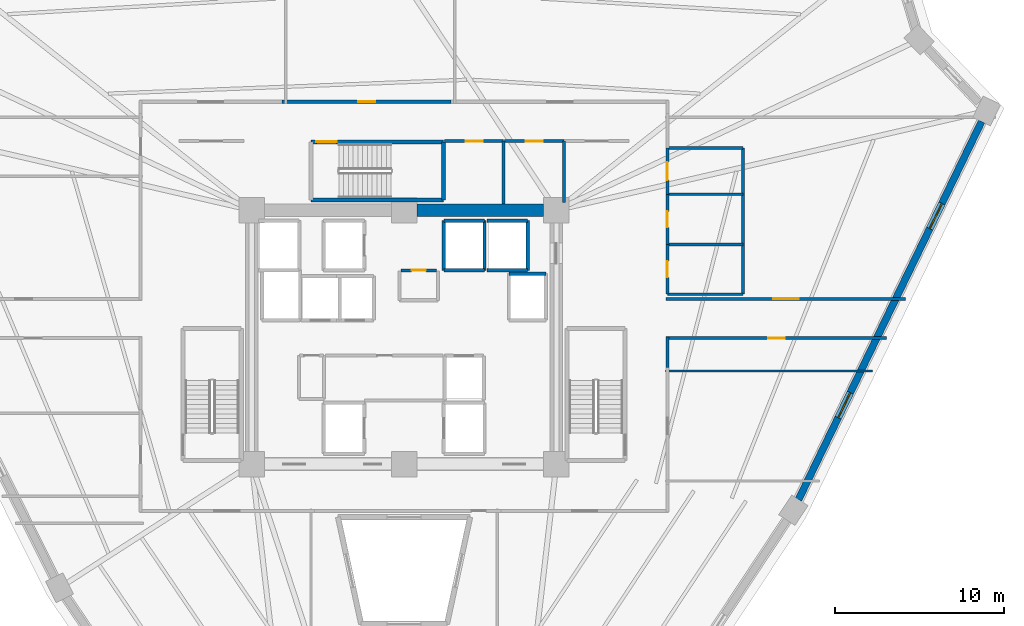
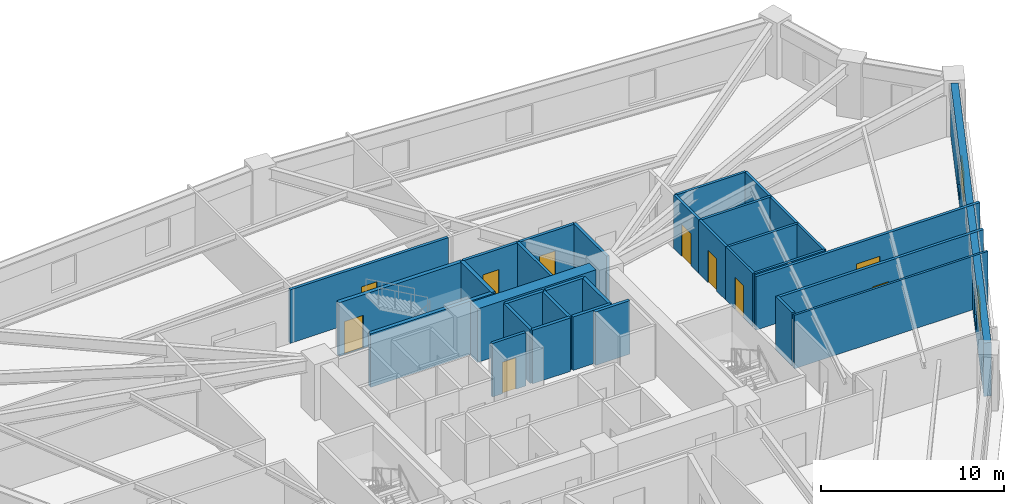
# One storey, part 6 of 8: 31 walls, 10 doors, 2 windows, 12 openings.
"""IFC4 building model written with IfcOpenShell, lengths in metres."""

from ifc_helpers import new_model, si_unit, direction, frame, frame_2d, origin, place, context, subcontext, project, spatial, rectangle, extrude, source, transform, mapped, material, layer, layer_set, type_object, element, fill, save


model = new_model("IFC4")

# Units and contexts
model_context = context("Model", 3, precision=1e-05, world=origin(), true_north=direction((0.0, 1.0)))
body_context = subcontext(model_context, "Body", "Model", "MODEL_VIEW")
ifc_project = project(units=[si_unit("LENGTHUNIT", "METRE"), si_unit("AREAUNIT", "SQUARE_METRE"), si_unit("VOLUMEUNIT", "CUBIC_METRE"), si_unit("PLANEANGLEUNIT", "RADIAN"), si_unit("MASSUNIT", "GRAM", prefix="KILO")], contexts=[model_context])

# Site, building, storey
site_placement = place(None, origin())
site = spatial("IfcSite", under=ifc_project, at=site_placement, CompositionType="ELEMENT")
building_placement = place(site_placement, origin())
building = spatial("IfcBuilding", under=site, at=building_placement, Name="Liaohun Quay Tower", CompositionType="ELEMENT")
storey_placement = place(building_placement, frame((0.0, 0.0, 177.75)))
storey = spatial("IfcBuildingStorey", under=building, at=storey_placement, Name="L46", CompositionType="ELEMENT", Elevation=177.75)

# Wall
ifc_material_1 = material(Name="Concrete C60", Category="concrete")
ifc_layer_1 = layer(ifc_material_1, 0.75, Name="Concrete C60", Category="concrete")
ifc_layer_set_1 = layer_set([ifc_layer_1], Name="Concrete C60")
wall_type_1 = type_object("IfcWallType", Name="WAL-COR-Z2", PredefinedType="SHEAR", material=ifc_layer_set_1)
wall_1_placement = place(storey_placement, frame((60.75, 61.5, 0.0), z_axis=(0.0, 0.0, 1.0), x_axis=(1.0, 0.0, 0.0)))
element("IfcWall", 1, at=wall_1_placement, inside=storey, type_object=wall_type_1, Name="L46 Central Core Shear Wall N-E", PredefinedType="SHEAR", context=body_context, shape_type="SweptSolid", body=[
    extrude(rectangle(XDim=7.5, YDim=0.75, at=frame_2d((3.75, 0.0))), origin(), (0.0, 0.0, 1.0), 3.570068359375),
])

# Wall, openings, windows
ifc_material_2 = material(Name="Precast concrete C50 insulated sandwich", Category="concrete")
ifc_layer_2 = layer(ifc_material_2, 0.419921875, Name="Precast concrete C50 insulated sandwich", Category="concrete")
ifc_layer_set_2 = layer_set([ifc_layer_2], Name="Precast concrete C50 insulated sandwich")
wall_type_2 = type_object("IfcWallType", Name="WAL-EXT-Z12", PredefinedType="SOLIDWALL", material=ifc_layer_set_2)
wall_2_placement = place(storey_placement, frame((83.302978515625, 44.39501953125, 0.0), z_axis=(0.0, 0.0, 1.0), x_axis=(0.435791696433, 0.90004755281, 0.0)))
wall_2 = element("IfcWall", 2, at=wall_2_placement, inside=storey, type_object=wall_type_2, Name="L46 Brutalist Precast Pier Wall 03", PredefinedType="SOLIDWALL", context=body_context, shape_type="SweptSolid", body=[
    extrude(rectangle(XDim=24.830810546875, YDim=0.419921875, at=frame_2d((12.41552734375, 0.0))), origin(), (0.0, 0.0, 1.0), 3.570068359375),
])
shared_shape_1 = source(origin(), body_context, "Body", "SweptSolid", [
    extrude(rectangle(XDim=1.64990234375, YDim=1.949951171875, at=frame_2d((0.824951171875, 0.97509765625))), frame((0.0, 0.219970703125, 0.0), z_axis=(0.0, -1.0, 0.0), x_axis=(1.0, 0.0, 0.0)), (0.0, 0.0, 1.0), 0.43994140625),
])
opening_1_placement = place(wall_2_placement, frame((5.383056640625, 0.0, 0.550048828125)))
opening_1 = element("IfcOpeningElement", 3, at=opening_1_placement, cuts=wall_2, Name="Opening W02", PredefinedType="OPENING", context=body_context, shape_type="MappedRepresentation", body=[
    mapped(shared_shape_1, transform((0.0, 0.0, 0.0), x_axis=(1.0, 0.0, 0.0), y_axis=(0.0, 1.0, 0.0), z_axis=(0.0, 0.0, 1.0), scale=1.0)),
])
opening_2_placement = place(wall_2_placement, frame((17.798095703125, 0.0, 0.550048828125)))
opening_2 = element("IfcOpeningElement", 4, at=opening_2_placement, cuts=wall_2, Name="Opening W02", PredefinedType="OPENING", context=body_context, shape_type="MappedRepresentation", body=[
    mapped(shared_shape_1, transform((0.0, 0.0, 0.0), x_axis=(1.0, 0.0, 0.0), y_axis=(0.0, 1.0, 0.0), z_axis=(0.0, 0.0, 1.0), scale=1.0)),
])
ifc_material_3 = material(Name="Triple Low-E argon glazing in thermally broken aluminium", Category="aluminium")
window_type = type_object("IfcWindowType", Name="WIN-PUN-Z2", PartitioningType="DOUBLE_PANEL_VERTICAL", PredefinedType="WINDOW", material=ifc_material_3)
shared_shape_2 = source(origin(), body_context, "Body", "SweptSolid", [
    extrude(rectangle(XDim=1.64990234375, YDim=1.949951171875, at=frame_2d((0.824951171875, 0.97509765625))), frame((0.0, 0.030029296875, 0.0), z_axis=(0.0, -1.0, 0.0), x_axis=(1.0, 0.0, 0.0)), (0.0, 0.0, 1.0), 0.06005859375),
])
window_1_placement = place(opening_1_placement, origin())
window_1 = element("IfcWindow", 5, at=window_1_placement, inside=storey, type_object=window_type, Name="L46 Recessed Cold-Climate Punched Window 03-1", OverallHeight=1.949951171875, OverallWidth=1.64990234375, PartitioningType="DOUBLE_PANEL_VERTICAL", PredefinedType="WINDOW", context=body_context, shape_type="MappedRepresentation", body=[
    mapped(shared_shape_2, transform((0.0, 0.0, 0.0), x_axis=(1.0, 0.0, 0.0), y_axis=(0.0, 1.0, 0.0), z_axis=(0.0, 0.0, 1.0), scale=1.0)),
])
fill(opening_1, window_1)
window_2_placement = place(opening_2_placement, origin())
window_2 = element("IfcWindow", 6, at=window_2_placement, inside=storey, type_object=window_type, Name="L46 Recessed Cold-Climate Punched Window 03-3", OverallHeight=1.949951171875, OverallWidth=1.64990234375, PartitioningType="DOUBLE_PANEL_VERTICAL", PredefinedType="WINDOW", context=body_context, shape_type="MappedRepresentation", body=[
    mapped(shared_shape_2, transform((0.0, 0.0, 0.0), x_axis=(1.0, 0.0, 0.0), y_axis=(0.0, 1.0, 0.0), z_axis=(0.0, 0.0, 1.0), scale=1.0)),
])
fill(opening_2, window_2)

# Wall, opening, door
ifc_material_4 = material(Name="Autoclaved aerated concrete blockwork", Category="masonry")
ifc_layer_3 = layer(ifc_material_4, 0.179931640625, Name="Autoclaved aerated concrete blockwork", Category="masonry")
ifc_layer_set_3 = layer_set([ifc_layer_3], Name="Autoclaved aerated concrete blockwork")
wall_type_3 = type_object("IfcWallType", Name="WAL-PRT-COR", PredefinedType="PARTITIONING", material=ifc_layer_set_3)
wall_3_placement = place(storey_placement, frame((59.81005859375, 57.949951171875, 0.0), z_axis=(0.0, 0.0, 1.0), x_axis=(1.0, 0.0, 0.0)))
wall_3 = element("IfcWall", 7, at=wall_3_placement, inside=storey, type_object=wall_type_3, Name="L46 Interior Partition Wall 002", PredefinedType="PARTITIONING", context=body_context, shape_type="SweptSolid", body=[
    extrude(rectangle(XDim=2.10986328125, YDim=0.179931640625, at=frame_2d((1.054931640625, 0.0))), origin(), (0.0, 0.0, 1.0), 3.570068359375),
])
shared_shape_3 = source(origin(), body_context, "Body", "SweptSolid", [
    extrude(rectangle(XDim=0.85009765625, YDim=2.10009765625, at=frame_2d((0.425048828125, 1.050048828125))), frame((0.0, 0.099853515625, 0.0), z_axis=(0.0, -1.0, 0.0), x_axis=(1.0, 0.0, 0.0)), (0.0, 0.0, 1.0), 0.199951171875),
])
opening_3_placement = place(wall_3_placement, frame((0.635009765625, 0.0, 0.0)))
opening_3 = element("IfcOpeningElement", 8, at=opening_3_placement, cuts=wall_3, Name="Opening AD1", PredefinedType="OPENING", context=body_context, shape_type="MappedRepresentation", body=[
    mapped(shared_shape_3, transform((0.0, 0.0, 0.0), x_axis=(1.0, 0.0, 0.0), y_axis=(0.0, 1.0, 0.0), z_axis=(0.0, 0.0, 1.0), scale=1.0)),
])
ifc_material_5 = material(Name="Steel riser inspection fire door", Category="steel")
door_type_1 = type_object("IfcDoorType", Name="DOR-SHF-850", OperationType="NOTDEFINED", PredefinedType="DOOR", material=ifc_material_5)
shared_shape_4 = source(origin(), body_context, "Body", "SweptSolid", [
    extrude(rectangle(XDim=0.85009765625, YDim=2.10009765625, at=frame_2d((0.425048828125, 1.050048828125))), frame((0.0, 0.02490234375, 0.0), z_axis=(0.0, -1.0, 0.0), x_axis=(1.0, 0.0, 0.0)), (0.0, 0.0, 1.0), 0.050048828125),
])
door_1_placement = place(opening_3_placement, origin())
door_1 = element("IfcDoor", 9, at=door_1_placement, inside=storey, type_object=door_type_1, Name="L46 Core Janitor and Cleaner Store Door", OperationType="SINGLE_SWING_LEFT", OverallHeight=2.10009765625, OverallWidth=0.85009765625, PredefinedType="DOOR", context=body_context, shape_type="MappedRepresentation", body=[
    mapped(shared_shape_4, transform((0.0, 0.0, 0.0), x_axis=(1.0, 0.0, 0.0), y_axis=(0.0, 1.0, 0.0), z_axis=(0.0, 0.0, 1.0), scale=1.0)),
])
fill(opening_3, door_1)

wall_4_placement = place(storey_placement, frame((62.389892578125, 65.580078125, 0.0), z_axis=(0.0, 0.0, 1.0), x_axis=(1.0, 0.0, 0.0)))
wall_4 = element("IfcWall", 10, at=wall_4_placement, inside=storey, type_object=wall_type_3, Name="L46 Interior Partition Wall 007", PredefinedType="PARTITIONING", context=body_context, shape_type="SweptSolid", body=[
    extrude(rectangle(XDim=3.489990234375, YDim=0.179931640625, at=frame_2d((1.7451171875, 0.0))), origin(), (0.0, 0.0, 1.0), 3.570068359375),
])
shared_shape_5 = source(origin(), body_context, "Body", "SweptSolid", [
    extrude(rectangle(XDim=1.0, YDim=2.199951171875, at=frame_2d((0.5, 1.10009765625))), frame((0.0, 0.099853515625, 0.0), z_axis=(0.0, -1.0, 0.0), x_axis=(1.0, 0.0, 0.0)), (0.0, 0.0, 1.0), 0.199951171875),
])
opening_4_placement = place(wall_4_placement, frame((1.2451171875, 0.0, 0.0)))
opening_4 = element("IfcOpeningElement", 11, at=opening_4_placement, cuts=wall_4, Name="Opening OD1", PredefinedType="OPENING", context=body_context, shape_type="MappedRepresentation", body=[
    mapped(shared_shape_5, transform((0.0, 0.0, 0.0), x_axis=(1.0, 0.0, 0.0), y_axis=(0.0, 1.0, 0.0), z_axis=(0.0, 0.0, 1.0), scale=1.0)),
])
ifc_material_6 = material(Name="Solid-core oak veneer timber leaf in steel frame", Category="steel")
door_type_2 = type_object("IfcDoorType", Name="DOR-OFF-1000", OperationType="NOTDEFINED", PredefinedType="DOOR", material=ifc_material_6)
shared_shape_6 = source(origin(), body_context, "Body", "SweptSolid", [
    extrude(rectangle(XDim=1.0, YDim=2.199951171875, at=frame_2d((0.5, 1.10009765625))), frame((0.0, 0.02490234375, 0.0), z_axis=(0.0, -1.0, 0.0), x_axis=(1.0, 0.0, 0.0)), (0.0, 0.0, 1.0), 0.050048828125),
])
door_2_placement = place(opening_4_placement, origin())
door_2 = element("IfcDoor", 12, at=door_2_placement, inside=storey, type_object=door_type_2, Name="L46 North-East Archive Store Door", OperationType="SINGLE_SWING_RIGHT", OverallHeight=2.199951171875, OverallWidth=1.0, PredefinedType="DOOR", context=body_context, shape_type="MappedRepresentation", body=[
    mapped(shared_shape_6, transform((0.0, 0.0, 0.0), x_axis=(1.0, 0.0, 0.0), y_axis=(0.0, 1.0, 0.0), z_axis=(0.0, 0.0, 1.0), scale=1.0)),
])
fill(opening_4, door_2)

wall_5_placement = place(storey_placement, frame((65.919921875, 65.580078125, 0.0), z_axis=(0.0, 0.0, 1.0), x_axis=(1.0, 0.0, 0.0)))
wall_5 = element("IfcWall", 13, at=wall_5_placement, inside=storey, type_object=wall_type_3, Name="L46 Interior Partition Wall 008", PredefinedType="PARTITIONING", context=body_context, shape_type="SweptSolid", body=[
    extrude(rectangle(XDim=3.5400390625, YDim=0.179931640625, at=frame_2d((1.77001953125, 0.0))), origin(), (0.0, 0.0, 1.0), 3.570068359375),
])
opening_5_placement = place(wall_5_placement, frame((1.27001953125, 0.0, 0.0)))
opening_5 = element("IfcOpeningElement", 14, at=opening_5_placement, cuts=wall_5, Name="Opening OD1", PredefinedType="OPENING", context=body_context, shape_type="MappedRepresentation", body=[
    mapped(shared_shape_5, transform((0.0, 0.0, 0.0), x_axis=(1.0, 0.0, 0.0), y_axis=(0.0, 1.0, 0.0), z_axis=(0.0, 0.0, 1.0), scale=1.0)),
])
door_3_placement = place(opening_5_placement, origin())
door_3 = element("IfcDoor", 15, at=door_3_placement, inside=storey, type_object=door_type_2, Name="L46 North-East Pantry Room Door", OperationType="SINGLE_SWING_LEFT", OverallHeight=2.199951171875, OverallWidth=1.0, PredefinedType="DOOR", context=body_context, shape_type="MappedRepresentation", body=[
    mapped(shared_shape_6, transform((0.0, 0.0, 0.0), x_axis=(1.0, 0.0, 0.0), y_axis=(0.0, 1.0, 0.0), z_axis=(0.0, 0.0, 1.0), scale=1.0)),
])
fill(opening_5, door_3)

wall_6_placement = place(storey_placement, frame((75.489990234375, 56.260009765625, 0.0), z_axis=(0.0, 0.0, 1.0), x_axis=(1.0, 0.0, 0.0)))
wall_6 = element("IfcWall", 16, at=wall_6_placement, inside=storey, type_object=wall_type_3, Name="L46 Interior Partition Wall 011", PredefinedType="PARTITIONING", context=body_context, shape_type="SweptSolid", body=[
    extrude(rectangle(XDim=14.14990234375, YDim=0.179931640625, at=frame_2d((7.074951171875, 0.0))), origin(), (0.0, 0.0, 1.0), 3.570068359375),
])
shared_shape_7 = source(origin(), body_context, "Body", "SweptSolid", [
    extrude(rectangle(XDim=1.5, YDim=2.199951171875, at=frame_2d((0.75, 1.10009765625))), frame((0.0, 0.099853515625, 0.0), z_axis=(0.0, -1.0, 0.0), x_axis=(1.0, 0.0, 0.0)), (0.0, 0.0, 1.0), 0.199951171875),
])
opening_6_placement = place(wall_6_placement, frame((6.324951171875, 0.0, 0.0)))
opening_6 = element("IfcOpeningElement", 17, at=opening_6_placement, cuts=wall_6, Name="Opening OD2", PredefinedType="OPENING", context=body_context, shape_type="MappedRepresentation", body=[
    mapped(shared_shape_7, transform((0.0, 0.0, 0.0), x_axis=(1.0, 0.0, 0.0), y_axis=(0.0, 1.0, 0.0), z_axis=(0.0, 0.0, 1.0), scale=1.0)),
])
ifc_material_7 = material(Name="Acoustic oak veneer double door")
door_type_3 = type_object("IfcDoorType", Name="DOR-OFF-1500", OperationType="DOUBLE_DOOR_SINGLE_SWING", PredefinedType="DOOR", material=ifc_material_7)
shared_shape_8 = source(origin(), body_context, "Body", "SweptSolid", [
    extrude(rectangle(XDim=1.5, YDim=2.199951171875, at=frame_2d((0.75, 1.10009765625))), frame((0.0, 0.02490234375, 0.0), z_axis=(0.0, -1.0, 0.0), x_axis=(1.0, 0.0, 0.0)), (0.0, 0.0, 1.0), 0.050048828125),
])
door_4_placement = place(opening_6_placement, origin())
door_4 = element("IfcDoor", 18, at=door_4_placement, inside=storey, type_object=door_type_3, Name="L46 Staff Daycare Nursery 01 Door", OperationType="DOUBLE_DOOR_SINGLE_SWING", OverallHeight=2.199951171875, OverallWidth=1.5, PredefinedType="DOOR", context=body_context, shape_type="MappedRepresentation", body=[
    mapped(shared_shape_8, transform((0.0, 0.0, 0.0), x_axis=(1.0, 0.0, 0.0), y_axis=(0.0, 1.0, 0.0), z_axis=(0.0, 0.0, 1.0), scale=1.0)),
])
fill(opening_6, door_4)

wall_7_placement = place(storey_placement, frame((52.784912109375, 67.909912109375, 0.0), z_axis=(0.0, 0.0, 1.0), x_axis=(1.0, 0.0, 0.0)))
wall_7 = element("IfcWall", 19, at=wall_7_placement, inside=storey, type_object=wall_type_3, Name="L46 Interior Partition Wall 013", PredefinedType="PARTITIONING", context=body_context, shape_type="SweptSolid", body=[
    extrude(rectangle(XDim=10.0, YDim=0.179931640625, at=frame_2d((5.0, 0.0))), origin(), (0.0, 0.0, 1.0), 3.570068359375),
])
opening_7_placement = place(wall_7_placement, frame((4.5, 0.0, 0.0)))
opening_7 = element("IfcOpeningElement", 20, at=opening_7_placement, cuts=wall_7, Name="Opening OD1", PredefinedType="OPENING", context=body_context, shape_type="MappedRepresentation", body=[
    mapped(shared_shape_5, transform((0.0, 0.0, 0.0), x_axis=(1.0, 0.0, 0.0), y_axis=(0.0, 1.0, 0.0), z_axis=(0.0, 0.0, 1.0), scale=1.0)),
])
door_5_placement = place(opening_7_placement, origin())
door_5 = element("IfcDoor", 21, at=door_5_placement, inside=storey, type_object=door_type_2, Name="L46 Staff Daycare Nursery 03 Door", OperationType="SINGLE_SWING_RIGHT", OverallHeight=2.199951171875, OverallWidth=1.0, PredefinedType="DOOR", context=body_context, shape_type="MappedRepresentation", body=[
    mapped(shared_shape_6, transform((0.0, 0.0, 0.0), x_axis=(1.0, 0.0, 0.0), y_axis=(0.0, 1.0, 0.0), z_axis=(0.0, 0.0, 1.0), scale=1.0)),
])
fill(opening_7, door_5)

wall_8_placement = place(storey_placement, frame((88.51708984375, 53.93994140625, 0.0), z_axis=(0.0, 0.0, 1.0), x_axis=(-1.0, 0.0, 0.0)))
wall_8 = element("IfcWall", 22, at=wall_8_placement, inside=storey, type_object=wall_type_3, Name="L46 Interior Partition Wall 023", PredefinedType="PARTITIONING", context=body_context, shape_type="SweptSolid", body=[
    extrude(rectangle(XDim=13.027099609375, YDim=0.179931640625, at=frame_2d((6.513671875, 0.0))), origin(), (0.0, 0.0, 1.0), 3.570068359375),
])
opening_8_placement = place(wall_8_placement, frame((6.013916015625, 0.0, 0.0)))
opening_8 = element("IfcOpeningElement", 23, at=opening_8_placement, cuts=wall_8, Name="Opening OD1", PredefinedType="OPENING", context=body_context, shape_type="MappedRepresentation", body=[
    mapped(shared_shape_5, transform((0.0, 0.0, 0.0), x_axis=(1.0, 0.0, 0.0), y_axis=(0.0, 1.0, 0.0), z_axis=(0.0, 0.0, 1.0), scale=1.0)),
])
door_6_placement = place(opening_8_placement, origin())
door_6 = element("IfcDoor", 24, at=door_6_placement, inside=storey, type_object=door_type_2, Name="L46 Regional Advisory Office 13 Door", OperationType="SINGLE_SWING_RIGHT", OverallHeight=2.199951171875, OverallWidth=1.0, PredefinedType="DOOR", context=body_context, shape_type="MappedRepresentation", body=[
    mapped(shared_shape_6, transform((0.0, 0.0, 0.0), x_axis=(1.0, 0.0, 0.0), y_axis=(0.0, 1.0, 0.0), z_axis=(0.0, 0.0, 1.0), scale=1.0)),
])
fill(opening_8, door_6)

# Walls
wall_9_placement = place(storey_placement, frame((65.8798828125, 61.875, 0.0), z_axis=(0.0, 0.0, 1.0), x_axis=(0.0, 1.0, 0.0)))
element("IfcWall", 25, at=wall_9_placement, inside=storey, type_object=wall_type_3, Name="L46 Interior Partition Wall 035", PredefinedType="PARTITIONING", context=body_context, shape_type="SweptSolid", body=[
    extrude(rectangle(XDim=3.705078125, YDim=0.179931640625, at=frame_2d((1.8525390625, 0.0))), origin(), (0.0, 0.0, 1.0), 3.570068359375),
])
wall_10_placement = place(storey_placement, frame((69.4599609375, 61.949951171875, 0.0), z_axis=(0.0, 0.0, 1.0), x_axis=(0.0, 1.0, 0.0)))
element("IfcWall", 26, at=wall_10_placement, inside=storey, type_object=wall_type_3, Name="L46 Interior Partition Wall 036", PredefinedType="PARTITIONING", context=body_context, shape_type="SweptSolid", body=[
    extrude(rectangle(XDim=3.630126953125, YDim=0.179931640625, at=frame_2d((1.81494140625, 0.0))), origin(), (0.0, 0.0, 1.0), 3.570068359375),
])
wall_11_placement = place(storey_placement, frame((75.56005859375, 54.010009765625, 0.0), z_axis=(0.0, 0.0, 1.0), x_axis=(0.0, -1.0, 0.0)))
element("IfcWall", 27, at=wall_11_placement, inside=storey, type_object=wall_type_3, Name="L46 Interior Partition Wall 044", PredefinedType="PARTITIONING", context=body_context, shape_type="SweptSolid", body=[
    extrude(rectangle(XDim=1.794921875, YDim=0.179931640625, at=frame_2d((0.8974609375, 0.0))), origin(), (0.0, 0.0, 1.0), 3.570068359375),
])
ifc_material_8 = material(Name="Gypsum board on twin steel studs", Category="steel")
ifc_layer_4 = layer(ifc_material_8, 0.139892578125, Name="Gypsum board on twin steel studs", Category="steel")
ifc_layer_set_4 = layer_set([ifc_layer_4], Name="Gypsum board on twin steel studs")
wall_type_4 = type_object("IfcWallType", Name="WAL-PRT-OFF", PredefinedType="PARTITIONING", material=ifc_layer_set_4)
wall_12_placement = place(storey_placement, frame((75.4599609375, 52.0, 0.0), z_axis=(0.0, 0.0, 1.0), x_axis=(1.0, 0.0, 0.0)))
element("IfcWall", 28, at=wall_12_placement, inside=storey, type_object=wall_type_4, Name="L46 Interior Partition Wall 051", PredefinedType="PARTITIONING", context=body_context, shape_type="SweptSolid", body=[
    extrude(rectangle(XDim=12.22509765625, YDim=0.139892578125, at=frame_2d((6.112548828125, 0.0))), origin(), (0.0, 0.0, 1.0), 3.570068359375),
])

# Wall, opening, door
ifc_material_9 = material(Name="Moisture-resistant masonry blockwork", Category="masonry")
ifc_layer_5 = layer(ifc_material_9, 0.159912109375, Name="Moisture-resistant masonry blockwork", Category="masonry")
ifc_layer_set_5 = layer_set([ifc_layer_5], Name="Moisture-resistant masonry blockwork")
wall_type_5 = type_object("IfcWallType", Name="WAL-PRT-WET", PredefinedType="PARTITIONING", material=ifc_layer_set_5)
wall_13_placement = place(storey_placement, frame((75.56005859375, 56.5400390625, 0.0), z_axis=(0.0, 0.0, 1.0), x_axis=(0.0, 1.0, 0.0)))
wall_13 = element("IfcWall", 29, at=wall_13_placement, inside=storey, type_object=wall_type_5, Name="L46 Interior Partition Wall 004", PredefinedType="PARTITIONING", context=body_context, shape_type="SweptSolid", body=[
    extrude(rectangle(XDim=2.93994140625, YDim=0.159912109375, at=frame_2d((1.469970703125, 0.0))), origin(), (0.0, 0.0, 1.0), 3.570068359375),
])
shared_shape_9 = source(origin(), body_context, "Body", "SweptSolid", [
    extrude(rectangle(XDim=0.949951171875, YDim=2.14990234375, at=frame_2d((0.47509765625, 1.074951171875))), frame((0.0, 0.08984375, 0.0), z_axis=(0.0, -1.0, 0.0), x_axis=(1.0, 0.0, 0.0)), (0.0, 0.0, 1.0), 0.179931640625),
])
opening_9_placement = place(wall_13_placement, frame((0.9951171875, 0.0, 0.0)))
opening_9 = element("IfcOpeningElement", 30, at=opening_9_placement, cuts=wall_13, Name="Opening WD1", PredefinedType="OPENING", context=body_context, shape_type="MappedRepresentation", body=[
    mapped(shared_shape_9, transform((0.0, 0.0, 0.0), x_axis=(1.0, 0.0, 0.0), y_axis=(0.0, 1.0, 0.0), z_axis=(0.0, 0.0, 1.0), scale=1.0)),
])
ifc_material_10 = material(Name="Moisture-resistant laminate timber leaf", Category="wood")
door_type_4 = type_object("IfcDoorType", Name="DOR-WC-950", OperationType="NOTDEFINED", PredefinedType="DOOR", material=ifc_material_10)
shared_shape_10 = source(origin(), body_context, "Body", "SweptSolid", [
    extrude(rectangle(XDim=0.949951171875, YDim=2.14990234375, at=frame_2d((0.47509765625, 1.074951171875))), frame((0.0, 0.02490234375, 0.0), z_axis=(0.0, -1.0, 0.0), x_axis=(1.0, 0.0, 0.0)), (0.0, 0.0, 1.0), 0.050048828125),
])
door_7_placement = place(opening_9_placement, origin())
door_7 = element("IfcDoor", 31, at=door_7_placement, inside=storey, type_object=door_type_4, Name="L46 Male Restroom WC Door", OperationType="SINGLE_SWING_LEFT", OverallHeight=2.14990234375, OverallWidth=0.949951171875, PredefinedType="DOOR", context=body_context, shape_type="MappedRepresentation", body=[
    mapped(shared_shape_10, transform((0.0, 0.0, 0.0), x_axis=(1.0, 0.0, 0.0), y_axis=(0.0, 1.0, 0.0), z_axis=(0.0, 0.0, 1.0), scale=1.0)),
])
fill(opening_9, door_7)

wall_14_placement = place(storey_placement, frame((75.56005859375, 59.47998046875, 0.0), z_axis=(0.0, 0.0, 1.0), x_axis=(0.0, 1.0, 0.0)))
wall_14 = element("IfcWall", 32, at=wall_14_placement, inside=storey, type_object=wall_type_5, Name="L46 Interior Partition Wall 005", PredefinedType="PARTITIONING", context=body_context, shape_type="SweptSolid", body=[
    extrude(rectangle(XDim=2.9599609375, YDim=0.159912109375, at=frame_2d((1.47998046875, 0.0))), origin(), (0.0, 0.0, 1.0), 3.570068359375),
])
opening_10_placement = place(wall_14_placement, frame((1.0048828125, 0.0, 0.0)))
opening_10 = element("IfcOpeningElement", 33, at=opening_10_placement, cuts=wall_14, Name="Opening WD1", PredefinedType="OPENING", context=body_context, shape_type="MappedRepresentation", body=[
    mapped(shared_shape_9, transform((0.0, 0.0, 0.0), x_axis=(1.0, 0.0, 0.0), y_axis=(0.0, 1.0, 0.0), z_axis=(0.0, 0.0, 1.0), scale=1.0)),
])
door_8_placement = place(opening_10_placement, origin())
door_8 = element("IfcDoor", 34, at=door_8_placement, inside=storey, type_object=door_type_4, Name="L46 Female Restroom WC Door", OperationType="SINGLE_SWING_RIGHT", OverallHeight=2.14990234375, OverallWidth=0.949951171875, PredefinedType="DOOR", context=body_context, shape_type="MappedRepresentation", body=[
    mapped(shared_shape_10, transform((0.0, 0.0, 0.0), x_axis=(1.0, 0.0, 0.0), y_axis=(0.0, 1.0, 0.0), z_axis=(0.0, 0.0, 1.0), scale=1.0)),
])
fill(opening_10, door_8)

wall_15_placement = place(storey_placement, frame((75.56005859375, 62.43994140625, 0.0), z_axis=(0.0, 0.0, 1.0), x_axis=(0.0, 1.0, 0.0)))
wall_15 = element("IfcWall", 35, at=wall_15_placement, inside=storey, type_object=wall_type_5, Name="L46 Interior Partition Wall 006", PredefinedType="PARTITIONING", context=body_context, shape_type="SweptSolid", body=[
    extrude(rectangle(XDim=2.739990234375, YDim=0.159912109375, at=frame_2d((1.3701171875, 0.0))), origin(), (0.0, 0.0, 1.0), 3.570068359375),
])
shared_shape_11 = source(origin(), body_context, "Body", "SweptSolid", [
    extrude(rectangle(XDim=1.050048828125, YDim=2.14990234375, at=frame_2d((0.52490234375, 1.074951171875))), frame((0.0, 0.08984375, 0.0), z_axis=(0.0, -1.0, 0.0), x_axis=(1.0, 0.0, 0.0)), (0.0, 0.0, 1.0), 0.179931640625),
])
opening_11_placement = place(wall_15_placement, frame((0.844970703125, 0.0, 0.0)))
opening_11 = element("IfcOpeningElement", 36, at=opening_11_placement, cuts=wall_15, Name="Opening WD2", PredefinedType="OPENING", context=body_context, shape_type="MappedRepresentation", body=[
    mapped(shared_shape_11, transform((0.0, 0.0, 0.0), x_axis=(1.0, 0.0, 0.0), y_axis=(0.0, 1.0, 0.0), z_axis=(0.0, 0.0, 1.0), scale=1.0)),
])
ifc_material_11 = material(Name="Accessible outward-swinging laminate door")
door_type_5 = type_object("IfcDoorType", Name="DOR-AWC-1050", OperationType="NOTDEFINED", PredefinedType="DOOR", material=ifc_material_11)
shared_shape_12 = source(origin(), body_context, "Body", "SweptSolid", [
    extrude(rectangle(XDim=1.050048828125, YDim=2.14990234375, at=frame_2d((0.52490234375, 1.074951171875))), frame((0.0, 0.02490234375, 0.0), z_axis=(0.0, -1.0, 0.0), x_axis=(1.0, 0.0, 0.0)), (0.0, 0.0, 1.0), 0.050048828125),
])
door_9_placement = place(opening_11_placement, origin())
door_9 = element("IfcDoor", 37, at=door_9_placement, inside=storey, type_object=door_type_5, Name="L46 Accessible WC Door", OperationType="SINGLE_SWING_LEFT", OverallHeight=2.14990234375, OverallWidth=1.050048828125, PredefinedType="DOOR", context=body_context, shape_type="MappedRepresentation", body=[
    mapped(shared_shape_12, transform((0.0, 0.0, 0.0), x_axis=(1.0, 0.0, 0.0), y_axis=(0.0, 1.0, 0.0), z_axis=(0.0, 0.0, 1.0), scale=1.0)),
])
fill(opening_11, door_9)

# Walls
wall_16_placement = place(storey_placement, frame((80.02001953125, 56.5400390625, 0.0), z_axis=(0.0, 0.0, 1.0), x_axis=(0.0, 1.0, 0.0)))
element("IfcWall", 38, at=wall_16_placement, inside=storey, type_object=wall_type_5, Name="L46 Interior Partition Wall 030", PredefinedType="PARTITIONING", context=body_context, shape_type="SweptSolid", body=[
    extrude(rectangle(XDim=8.639892578125, YDim=0.159912109375, at=frame_2d((4.31982421875, 0.0))), origin(), (0.0, 0.0, 1.0), 3.570068359375),
])
for number, where, z_axis, x_axis, name in (
    (39, (75.56005859375, 56.5400390625, 0.0), (0.0, 0.0, 1.0), (1.0, 0.0, 0.0), "L46 Interior Partition Wall 031"),
    (40, (75.56005859375, 59.47998046875, 0.0), (0.0, 0.0, 1.0), (1.0, 0.0, 0.0), "L46 Interior Partition Wall 032"),
    (41, (75.56005859375, 62.43994140625, 0.0), (0.0, 0.0, 1.0), (1.0, 0.0, 0.0), "L46 Interior Partition Wall 033"),
    (42, (75.56005859375, 65.179931640625, 0.0), (0.0, 0.0, 1.0), (1.0, 0.0, 0.0), "L46 Interior Partition Wall 034"),
):
    element("IfcWall", number, at=place(storey_placement, frame(where, z_axis=z_axis, x_axis=x_axis)), inside=storey, type_object=wall_type_5, Name=name, PredefinedType="PARTITIONING", context=body_context, shape_type="SweptSolid", body=[
        extrude(rectangle(XDim=4.4599609375, YDim=0.159912109375, at=frame_2d((2.22998046875, 0.0))), origin(), (0.0, 0.0, 1.0), 3.570068359375),
    ])
ifc_material_12 = material(Name="Concrete C50", Category="concrete")
ifc_layer_6 = layer(ifc_material_12, 0.239990234375, Name="Concrete C50", Category="concrete")
ifc_layer_set_6 = layer_set([ifc_layer_6], Name="Concrete C50")
wall_type_6 = type_object("IfcWallType", Name="WAL-SHF-200", PredefinedType="SOLIDWALL", material=ifc_layer_set_6)
wall_17_placement = place(storey_placement, frame((54.5, 62.10009765625, 0.0), z_axis=(0.0, 0.0, 1.0), x_axis=(1.0, 0.0, 0.0)))
element("IfcWall", 43, at=wall_17_placement, inside=storey, type_object=wall_type_6, Name="L46 Stairwell ST-3 Structural Core Wall S", PredefinedType="SOLIDWALL", context=body_context, shape_type="SweptSolid", body=[
    extrude(rectangle(XDim=7.820068359375, YDim=0.239990234375, at=frame_2d((3.91015625, 0.0))), origin(), (0.0, 0.0, 1.0), 3.570068359375),
])
wall_18_placement = place(storey_placement, frame((62.320068359375, 62.10009765625, 0.0), z_axis=(0.0, 0.0, 1.0), x_axis=(0.0, 1.0, 0.0)))
element("IfcWall", 44, at=wall_18_placement, inside=storey, type_object=wall_type_6, Name="L46 Stairwell ST-3 Structural Core Wall E", PredefinedType="SOLIDWALL", context=body_context, shape_type="SweptSolid", body=[
    extrude(rectangle(XDim=3.43994140625, YDim=0.239990234375, at=frame_2d((1.719970703125, 0.0))), origin(), (0.0, 0.0, 1.0), 3.570068359375),
])

# Wall, opening, door
wall_19_placement = place(storey_placement, frame((62.320068359375, 65.5400390625, 0.0), z_axis=(0.0, 0.0, 1.0), x_axis=(-1.0, 0.0, 0.0)))
wall_19 = element("IfcWall", 45, at=wall_19_placement, inside=storey, type_object=wall_type_6, Name="L46 Stairwell ST-3 Structural Core Wall N", PredefinedType="SOLIDWALL", context=body_context, shape_type="SweptSolid", body=[
    extrude(rectangle(XDim=7.820068359375, YDim=0.239990234375, at=frame_2d((3.91015625, 0.0))), origin(), (0.0, 0.0, 1.0), 3.570068359375),
])
shared_shape_13 = source(origin(), body_context, "Body", "SweptSolid", [
    extrude(rectangle(XDim=1.199951171875, YDim=2.199951171875, at=frame_2d((0.60009765625, 1.10009765625))), frame((0.0, 0.1298828125, 0.0), z_axis=(0.0, -1.0, 0.0), x_axis=(1.0, 0.0, 0.0)), (0.0, 0.0, 1.0), 0.260009765625),
])
opening_12_placement = place(wall_19_placement, frame((6.300048828125, 0.0, 0.0)))
opening_12 = element("IfcOpeningElement", 46, at=opening_12_placement, cuts=wall_19, Name="Opening SD1", PredefinedType="OPENING", context=body_context, shape_type="MappedRepresentation", body=[
    mapped(shared_shape_13, transform((0.0, 0.0, 0.0), x_axis=(1.0, 0.0, 0.0), y_axis=(0.0, 1.0, 0.0), z_axis=(0.0, 0.0, 1.0), scale=1.0)),
])
ifc_material_13 = material(Name="Galvanised steel fire door", Category="steel")
door_type_6 = type_object("IfcDoorType", Name="DOR-STR-1200", OperationType="NOTDEFINED", PredefinedType="DOOR", material=ifc_material_13)
shared_shape_14 = source(origin(), body_context, "Body", "SweptSolid", [
    extrude(rectangle(XDim=1.199951171875, YDim=2.199951171875, at=frame_2d((0.60009765625, 1.10009765625))), frame((0.0, 0.02490234375, 0.0), z_axis=(0.0, -1.0, 0.0), x_axis=(1.0, 0.0, 0.0)), (0.0, 0.0, 1.0), 0.050048828125),
])
door_10_placement = place(opening_12_placement, origin())
door_10 = element("IfcDoor", 47, at=door_10_placement, inside=storey, type_object=door_type_6, Name="L46 Protected Stair ST-3 Fire Door", OperationType="SINGLE_SWING_RIGHT", OverallHeight=2.199951171875, OverallWidth=1.199951171875, PredefinedType="DOOR", context=body_context, shape_type="MappedRepresentation", body=[
    mapped(shared_shape_14, transform((0.0, 0.0, 0.0), x_axis=(1.0, 0.0, 0.0), y_axis=(0.0, 1.0, 0.0), z_axis=(0.0, 0.0, 1.0), scale=1.0)),
])
fill(opening_12, door_10)

# Walls
wall_20_placement = place(storey_placement, frame((62.35009765625, 57.949951171875, 0.0), z_axis=(0.0, 0.0, 1.0), x_axis=(1.0, 0.0, 0.0)))
element("IfcWall", 48, at=wall_20_placement, inside=storey, type_object=wall_type_6, Name="L46 Lift OB-01 Hoistway Wall S", PredefinedType="SOLIDWALL", context=body_context, shape_type="SweptSolid", body=[
    extrude(rectangle(XDim=2.39990234375, YDim=0.199951171875, at=frame_2d((1.199951171875, 0.0))), origin(), (0.0, 0.0, 1.0), 3.570068359375),
])
wall_21_placement = place(storey_placement, frame((64.75, 57.949951171875, 0.0), z_axis=(0.0, 0.0, 1.0), x_axis=(0.0, 1.0, 0.0)))
element("IfcWall", 49, at=wall_21_placement, inside=storey, type_object=wall_type_6, Name="L46 Lift OB-01 Hoistway Wall E", PredefinedType="SOLIDWALL", context=body_context, shape_type="SweptSolid", body=[
    extrude(rectangle(XDim=2.929931640625, YDim=0.199951171875, at=frame_2d((1.46484375, 0.0))), origin(), (0.0, 0.0, 1.0), 3.570068359375),
])
wall_22_placement = place(storey_placement, frame((64.75, 60.8798828125, 0.0), z_axis=(0.0, 0.0, 1.0), x_axis=(-1.0, 0.0, 0.0)))
element("IfcWall", 50, at=wall_22_placement, inside=storey, type_object=wall_type_6, Name="L46 Lift OB-01 Hoistway Wall N", PredefinedType="SOLIDWALL", context=body_context, shape_type="SweptSolid", body=[
    extrude(rectangle(XDim=2.39990234375, YDim=0.199951171875, at=frame_2d((1.199951171875, 0.0))), origin(), (0.0, 0.0, 1.0), 3.570068359375),
])
wall_23_placement = place(storey_placement, frame((62.35009765625, 60.8798828125, 0.0), z_axis=(0.0, 0.0, 1.0), x_axis=(0.0, -1.0, 0.0)))
element("IfcWall", 51, at=wall_23_placement, inside=storey, type_object=wall_type_6, Name="L46 Lift OB-01 Hoistway Wall W", PredefinedType="SOLIDWALL", context=body_context, shape_type="SweptSolid", body=[
    extrude(rectangle(XDim=2.929931640625, YDim=0.199951171875, at=frame_2d((1.46484375, 0.0))), origin(), (0.0, 0.0, 1.0), 3.570068359375),
])
wall_24_placement = place(storey_placement, frame((64.89990234375, 57.949951171875, 0.0), z_axis=(0.0, 0.0, 1.0), x_axis=(1.0, 0.0, 0.0)))
element("IfcWall", 52, at=wall_24_placement, inside=storey, type_object=wall_type_6, Name="L46 Lift OB-02 Hoistway Wall S", PredefinedType="SOLIDWALL", context=body_context, shape_type="SweptSolid", body=[
    extrude(rectangle(XDim=2.400146484375, YDim=0.199951171875, at=frame_2d((1.2001953125, 0.0))), origin(), (0.0, 0.0, 1.0), 3.570068359375),
])
wall_25_placement = place(storey_placement, frame((67.300048828125, 57.949951171875, 0.0), z_axis=(0.0, 0.0, 1.0), x_axis=(0.0, 1.0, 0.0)))
element("IfcWall", 53, at=wall_25_placement, inside=storey, type_object=wall_type_6, Name="L46 Lift OB-02 Hoistway Wall E", PredefinedType="SOLIDWALL", context=body_context, shape_type="SweptSolid", body=[
    extrude(rectangle(XDim=2.929931640625, YDim=0.199951171875, at=frame_2d((1.46484375, 0.0))), origin(), (0.0, 0.0, 1.0), 3.570068359375),
])
wall_26_placement = place(storey_placement, frame((67.300048828125, 60.8798828125, 0.0), z_axis=(0.0, 0.0, 1.0), x_axis=(-1.0, 0.0, 0.0)))
element("IfcWall", 54, at=wall_26_placement, inside=storey, type_object=wall_type_6, Name="L46 Lift OB-02 Hoistway Wall N", PredefinedType="SOLIDWALL", context=body_context, shape_type="SweptSolid", body=[
    extrude(rectangle(XDim=2.400146484375, YDim=0.199951171875, at=frame_2d((1.2001953125, 0.0))), origin(), (0.0, 0.0, 1.0), 3.570068359375),
])
wall_27_placement = place(storey_placement, frame((68.3798828125, 57.75, 0.0), z_axis=(0.0, 0.0, 1.0), x_axis=(-1.0, 0.0, 0.0)))
element("IfcWall", 55, at=wall_27_placement, inside=storey, type_object=wall_type_6, Name="L46 Lift SH-03 Hoistway Wall N", PredefinedType="SOLIDWALL", context=body_context, shape_type="SweptSolid", body=[
    extrude(rectangle(XDim=2.179931640625, YDim=0.199951171875, at=frame_2d((1.08984375, 0.0))), origin(), (0.0, 0.0, 1.0), 3.570068359375),
])

save(model, "model.ifc")
